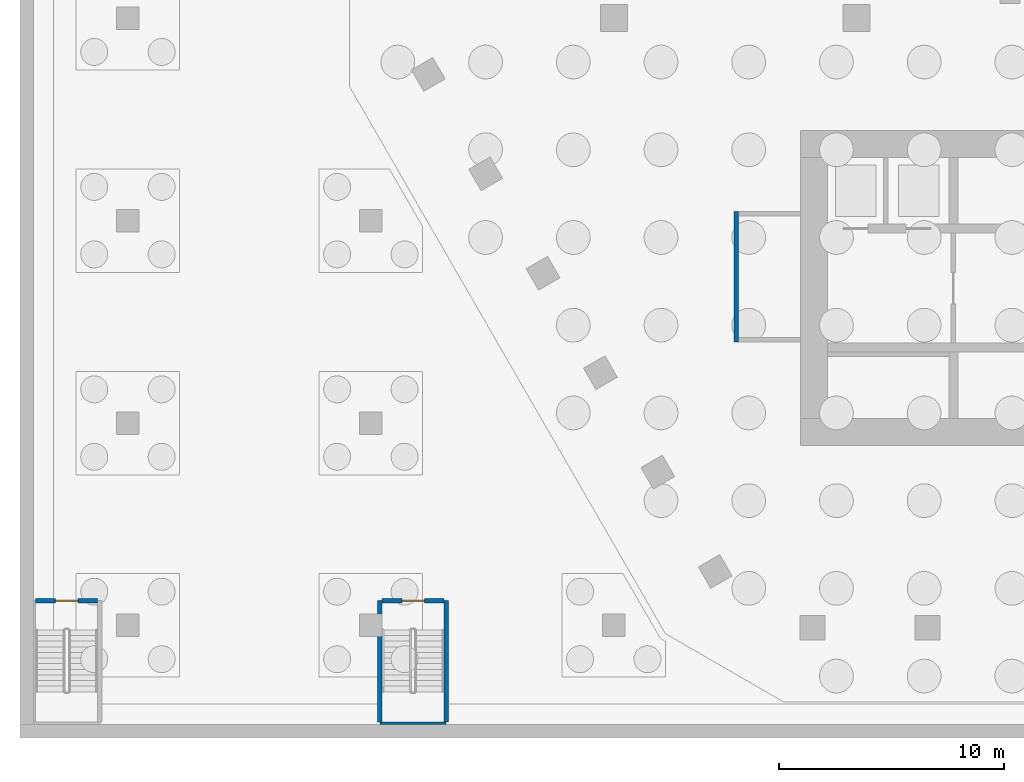
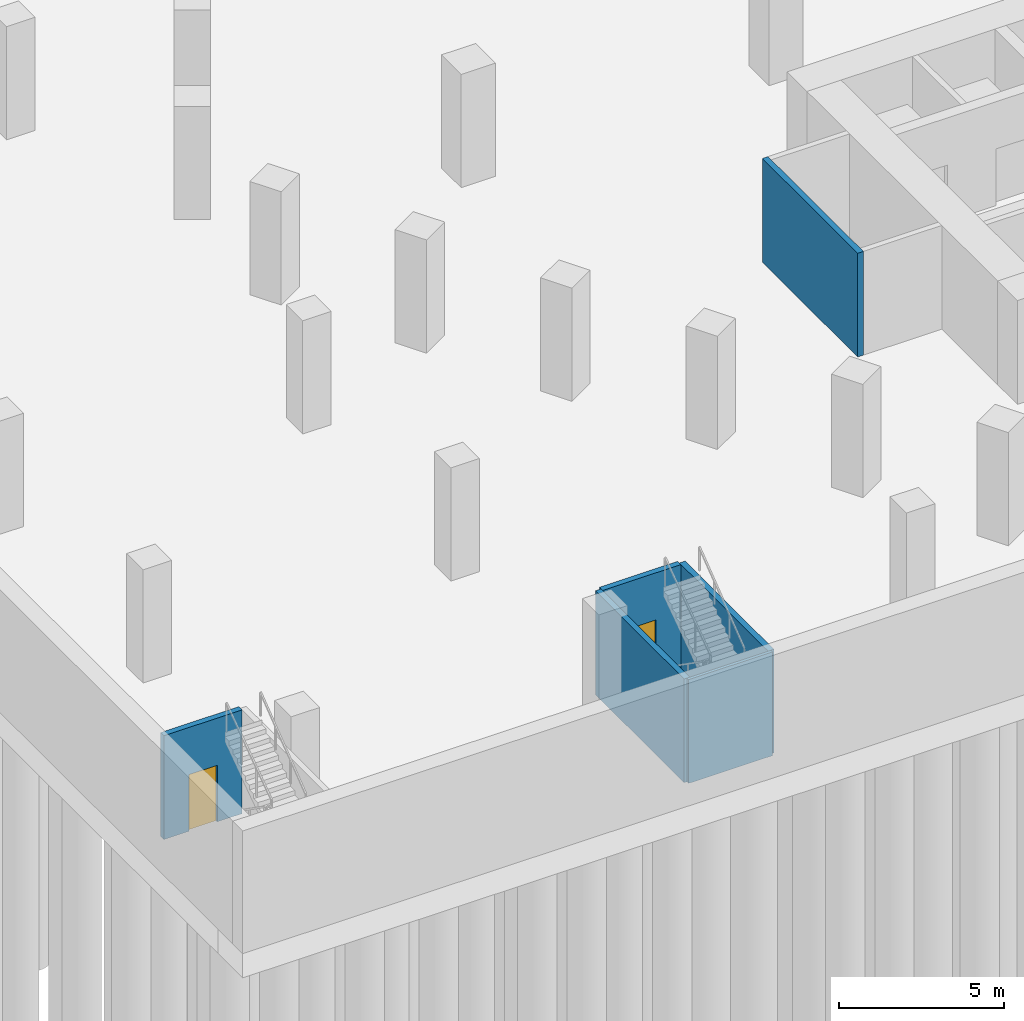
# One storey, part 4 of 21: 6 walls, 2 doors, 2 openings.
"""IFC4 building model written with IfcOpenShell, lengths in metres."""

import ifcopenshell
import ifcopenshell.guid

model = None  # the IFC model being written
_history = None  # IfcOwnerHistory: only IFC2X3 demands one
_inside = {}  # id of a spatial element -> (the spatial element, [elements in it])
_under = {}  # id of a project, library or spatial element -> (it, [spatial elements below it])
_declared = {}  # id of a project -> (the project, [libraries it declares])
_typed = {}  # id of a type object -> (the type object, [elements of that type])
_made_of = {}  # id of a material, layer set ... -> (it, [elements and type objects made of it])


def new_model(schema):
    """Start an empty IFC model of exactly this schema.

    Asked for "IFC4X3", IfcOpenShell would pick the latest addendum, in which some entities
    have other attributes; the version numbers below select the first issue.
    IFC2X3 requires an IfcOwnerHistory on every rooted entity: one is made here for all.
    """
    global model, _history
    if schema == "IFC4X3":
        model = ifcopenshell.file(schema_version=(4, 3, 0, 0))
    else:
        model = ifcopenshell.file(schema=schema)
    _inside.clear()
    _under.clear()
    _declared.clear()
    _typed.clear()
    _made_of.clear()
    _history = None
    if model.schema == "IFC2X3":
        org = make("IfcOrganization", Name="unknown")
        user = make(
            "IfcPersonAndOrganization",
            ThePerson=make("IfcPerson", FamilyName="unknown"),
            TheOrganization=org,
        )
        app = make(
            "IfcApplication",
            ApplicationDeveloper=org,
            Version="unknown",
            ApplicationFullName="unknown",
            ApplicationIdentifier="unknown",
        )
        _history = make(
            "IfcOwnerHistory",
            OwningUser=user,
            OwningApplication=app,
            ChangeAction="ADDED",
            CreationDate=0,
        )
    return model


def make(cls, **values):
    """One entity of the class cls with the attributes given. An attribute that is None is left unset."""
    return model.create_entity(
        cls, **{name: value for name, value in values.items() if value is not None}
    )


def rooted(cls, **values):
    """An entity with a GlobalId (a new one), such as an element, a storey or a relation."""
    return make(cls, GlobalId=ifcopenshell.guid.new(), OwnerHistory=_history, **values)


def si_unit(unit_type, name, prefix=None):
    """IfcSIUnit, for example si_unit("LENGTHUNIT", "METRE", prefix="MILLI")."""
    return make("IfcSIUnit", UnitType=unit_type, Prefix=prefix, Name=name)


def assignment(units):
    """IfcUnitAssignment: the units of a project."""
    return None if units is None else make("IfcUnitAssignment", Units=units)


def point(xyz):
    """IfcCartesianPoint."""
    return None if xyz is None else make("IfcCartesianPoint", Coordinates=xyz)


def direction(xyz):
    """IfcDirection."""
    return None if xyz is None else make("IfcDirection", DirectionRatios=xyz)


def frame(location, z_axis=None, x_axis=None):
    """IfcAxis2Placement3D, a coordinate frame: its origin and axes. An axis left out is left unset."""
    return make(
        "IfcAxis2Placement3D",
        Location=point(location),
        Axis=direction(z_axis),
        RefDirection=direction(x_axis),
    )


def frame_2d(location, x_axis=None):
    """IfcAxis2Placement2D, a coordinate frame in the plane: its origin and x axis."""
    return make(
        "IfcAxis2Placement2D", Location=point(location), RefDirection=direction(x_axis)
    )


def origin():
    """The frame at (0, 0, 0) with its axes left unset."""
    return frame((0.0, 0.0, 0.0))


def place(relative_to, where):
    """IfcLocalPlacement: puts the frame where relative to a parent placement (None: the world)."""
    return make(
        "IfcLocalPlacement", PlacementRelTo=relative_to, RelativePlacement=where
    )


def context(
    kind, dimensions, precision=None, world=None, true_north=None, identifier=None
):
    """IfcGeometricRepresentationContext, for example the 3D "Model" context."""
    return make(
        "IfcGeometricRepresentationContext",
        ContextIdentifier=identifier,
        ContextType=kind,
        CoordinateSpaceDimension=dimensions,
        Precision=precision,
        WorldCoordinateSystem=world,
        TrueNorth=true_north,
    )


def subcontext(parent, identifier, kind, view, scale=None):
    """IfcGeometricRepresentationSubContext, for example "Body" below "Model"."""
    return make(
        "IfcGeometricRepresentationSubContext",
        ContextIdentifier=identifier,
        ContextType=kind,
        ParentContext=parent,
        TargetScale=scale,
        TargetView=view,
    )


def project(units=None, contexts=None):
    """IfcProject with its units and contexts."""
    return rooted(
        "IfcProject",
        Name="project",
        RepresentationContexts=contexts,
        UnitsInContext=assignment(units),
    )


def spatial(cls, under=None, at=None, **own):
    """A site, building, storey or space (cls), placed at a placement, below another one or the project."""
    s = rooted(cls, ObjectPlacement=at, **own)
    if under is not None:
        _under.setdefault(under.id(), (under, []))[1].append(s)
    return s


def profile(cls, at=None, kind="AREA", **sizes):
    """A parametric profile (cls). Its sizes go by their IFC names, for example OverallWidth=200.0."""
    return make(cls, ProfileType=kind, Position=at, **sizes)


def rectangle(**sizes):
    """IfcRectangleProfileDef."""
    return profile("IfcRectangleProfileDef", **sizes)


def extrude(swept, where, along, depth):
    """IfcExtrudedAreaSolid: the profile swept, set in the frame where, extruded along a direction by depth."""
    return make(
        "IfcExtrudedAreaSolid",
        SweptArea=swept,
        Position=where,
        ExtrudedDirection=direction(along),
        Depth=depth,
    )


def shape(context_of_items, identifier, shape_type, items):
    """IfcShapeRepresentation: the items that make up one representation, for example the "Body"."""
    return make(
        "IfcShapeRepresentation",
        ContextOfItems=context_of_items,
        RepresentationIdentifier=identifier,
        RepresentationType=shape_type,
        Items=items,
    )


def material(Name=None, Category=None):
    """IfcMaterial."""
    return make("IfcMaterial", Name=Name, Category=Category)


def layer(
    of_material, thickness, ventilated=None, Name=None, Category=None, Priority=None
):
    """IfcMaterialLayer: one layer of a wall or slab, of a material (None: an air gap)."""
    return make(
        "IfcMaterialLayer",
        Material=of_material,
        LayerThickness=thickness,
        IsVentilated=ventilated,
        Name=Name,
        Category=Category,
        Priority=Priority,
    )


def layer_set(layers, Name=None):
    """IfcMaterialLayerSet."""
    return make("IfcMaterialLayerSet", MaterialLayers=layers, LayerSetName=Name)


def made_of(thing, what):
    """Note that an element or type object is made of a material, layer set ...; save() writes the relation."""
    if what is not None:
        _made_of.setdefault(what.id(), (what, []))[1].append(thing)
    return thing


def type_object(cls, material=None, **own):
    """A type object (cls), such as IfcWallType, which elements share."""
    return made_of(rooted(cls, **own), material)


def element(
    cls,
    number,
    at=None,
    inside=None,
    cuts=None,
    type_object=None,
    material=None,
    context=None,
    identifier="Body",
    shape_type=None,
    held_by="IfcProductDefinitionShape",
    body=None,
    shapes=None,
    **own,
):
    """One element of the class cls, such as IfcWall. Its Tag is "e" and its number.

    at: its placement. inside: the storey or other place that contains it. cuts: it is an
    opening in that element (IfcRelVoidsElement). A single representation is given by context,
    identifier, shape_type and body (its items); several are given by shapes. held_by: the class
    of the entity that holds the representations. save() writes the other relations.
    """
    e = rooted(cls, Tag="e%d" % number, ObjectPlacement=at, **own)
    if body is not None:
        shapes = [shape(context, identifier, shape_type, body)]
    if shapes is not None:
        e.Representation = make(held_by, Representations=shapes)
    if inside is not None:
        _inside.setdefault(inside.id(), (inside, []))[1].append(e)
    if cuts is not None:
        rooted(
            "IfcRelVoidsElement", RelatingBuildingElement=cuts, RelatedOpeningElement=e
        )
    if type_object is not None:
        _typed.setdefault(type_object.id(), (type_object, []))[1].append(e)
    return made_of(e, material)


def fill(opening, filler):
    """IfcRelFillsElement: the door or window that sits in an opening."""
    return rooted(
        "IfcRelFillsElement",
        RelatingOpeningElement=opening,
        RelatedBuildingElement=filler,
    )


def aggregate(whole, parts):
    """IfcRelAggregates: a whole, such as a stair, and the parts it consists of."""
    return rooted("IfcRelAggregates", RelatingObject=whole, RelatedObjects=parts)


def save(model, path):
    """Write the relations noted so far, then the file.

    IfcRelAggregates (storeys below a building ...), IfcRelContainedInSpatialStructure (elements
    in a storey), IfcRelDefinesByType, IfcRelAssociatesMaterial and IfcRelDeclares: one each for
    every whole, place, type object, material and project.
    """
    for whole, parts in _under.values():
        aggregate(whole, parts)
    for where, things in _inside.values():
        rooted(
            "IfcRelContainedInSpatialStructure",
            RelatedElements=things,
            RelatingStructure=where,
        )
    for kind, things in _typed.values():
        rooted("IfcRelDefinesByType", RelatedObjects=things, RelatingType=kind)
    for what, things in _made_of.values():
        rooted("IfcRelAssociatesMaterial", RelatedObjects=things, RelatingMaterial=what)
    for by, libraries in _declared.values():
        rooted("IfcRelDeclares", RelatingContext=by, RelatedDefinitions=libraries)
    model.write(path)


model = new_model("IFC4")

# Units and contexts
model_context = context("Model", 3, precision=1e-05, world=origin(), true_north=direction((0.0, 1.0)))
body_context = subcontext(model_context, "Body", "Model", "MODEL_VIEW")
ifc_project = project(units=[si_unit("LENGTHUNIT", "METRE"), si_unit("AREAUNIT", "SQUARE_METRE"), si_unit("VOLUMEUNIT", "CUBIC_METRE"), si_unit("PLANEANGLEUNIT", "RADIAN"), si_unit("MASSUNIT", "GRAM", prefix="KILO")], contexts=[model_context])

# Site, building, storey
site_placement = place(None, origin())
site = spatial("IfcSite", under=ifc_project, at=site_placement, CompositionType="ELEMENT")
building_placement = place(site_placement, origin())
building = spatial("IfcBuilding", under=site, at=building_placement, Name="Beryl Residences", CompositionType="ELEMENT")
storey_placement = place(building_placement, frame((0.0, 0.0, -8.39990234375)))
storey = spatial("IfcBuildingStorey", under=building, at=storey_placement, Name="B2", CompositionType="ELEMENT", Elevation=-8.39990234375)

# Wall, opening, door
ifc_material_1 = material(Name="Concrete C40/50", Category="concrete")
ifc_layer_1 = layer(ifc_material_1, 0.199951171875)
ifc_layer_set_1 = layer_set([ifc_layer_1], Name="PT5 stair enclosure wall 200 mm reinforced concrete C40/50")
wall_type_1 = type_object("IfcWallType", Name="PT5 stair enclosure wall 200 mm reinforced concrete C40/50", PredefinedType="SOLIDWALL", material=ifc_layer_set_1)
wall_1_placement = place(storey_placement, frame((-47.300048828125, -25.89990234375, 0.0), z_axis=(0.0, 0.0, 1.0), x_axis=(1.0, 0.0, 0.0)))
wall_1 = element("IfcWall", 1, at=wall_1_placement, inside=storey, type_object=wall_type_1, Name="Wall PT5 B2 001", PredefinedType="SOLIDWALL", context=body_context, shape_type="SweptSolid", body=[
    extrude(rectangle(XDim=2.75, YDim=0.199951171875, at=frame_2d((1.375, 0.0))), origin(), (0.0, 0.0, 1.0), 3.849853515625),
])
opening_1_placement = place(wall_1_placement, frame((1.875, 0.0, 0.0), z_axis=(0.0, 0.0, 1.0), x_axis=(-1.0, 0.0, 0.0)))
opening_1 = element("IfcOpeningElement", 2, at=opening_1_placement, cuts=wall_1, Name="Opening B2-04", PredefinedType="OPENING", context=body_context, shape_type="SweptSolid", body=[
    extrude(rectangle(XDim=1.0, YDim=2.10009765625, at=frame_2d((0.5, 1.050048828125))), frame((0.0, 0.10986328125, 0.0), z_axis=(0.0, -1.0, 0.0), x_axis=(1.0, 0.0, 0.0)), (0.0, 0.0, 1.0), 0.219970703125),
])
ifc_material_2 = material(Name="Steel door leaf in steel frame", Category="steel")
door_type = type_object("IfcDoorType", Name="D15 stair door 1000 x 2100 mm", OperationType="SINGLE_SWING_LEFT", PredefinedType="DOOR", material=ifc_material_2)
door_1_placement = place(opening_1_placement, origin())
door_1 = element("IfcDoor", 3, at=door_1_placement, inside=storey, type_object=door_type, Name="Door B2-04 B2 001", OperationType="SINGLE_SWING_LEFT", OverallHeight=2.10009765625, OverallWidth=1.0, PredefinedType="DOOR", context=body_context, shape_type="SweptSolid", body=[
    extrude(rectangle(XDim=1.0, YDim=2.10009765625, at=frame_2d((0.5, 1.050048828125))), frame((0.0, 0.02490234375, 0.0), z_axis=(0.0, -1.0, 0.0), x_axis=(1.0, 0.0, 0.0)), (0.0, 0.0, 1.0), 0.050048828125),
])
fill(opening_1, door_1)

wall_2_placement = place(storey_placement, frame((-31.89990234375, -25.89990234375, 0.0), z_axis=(0.0, 0.0, 1.0), x_axis=(1.0, 0.0, 0.0)))
wall_2 = element("IfcWall", 4, at=wall_2_placement, inside=storey, type_object=wall_type_1, Name="Wall PT5 B2 002", PredefinedType="SOLIDWALL", context=body_context, shape_type="SweptSolid", body=[
    extrude(rectangle(XDim=2.75, YDim=0.199951171875, at=frame_2d((1.375, 0.0))), origin(), (0.0, 0.0, 1.0), 3.849853515625),
])
opening_2_placement = place(wall_2_placement, frame((1.875, 0.0, 0.0), z_axis=(0.0, 0.0, 1.0), x_axis=(-1.0, 0.0, 0.0)))
opening_2 = element("IfcOpeningElement", 5, at=opening_2_placement, cuts=wall_2, Name="Opening B2-05", PredefinedType="OPENING", context=body_context, shape_type="SweptSolid", body=[
    extrude(rectangle(XDim=1.0, YDim=2.10009765625, at=frame_2d((0.5, 1.050048828125))), frame((0.0, 0.10986328125, 0.0), z_axis=(0.0, -1.0, 0.0), x_axis=(1.0, 0.0, 0.0)), (0.0, 0.0, 1.0), 0.219970703125),
])
door_2_placement = place(opening_2_placement, origin())
door_2 = element("IfcDoor", 6, at=door_2_placement, inside=storey, type_object=door_type, Name="Door B2-05 B2 001", OperationType="SINGLE_SWING_RIGHT", OverallHeight=2.10009765625, OverallWidth=1.0, PredefinedType="DOOR", context=body_context, shape_type="SweptSolid", body=[
    extrude(rectangle(XDim=1.0, YDim=2.10009765625, at=frame_2d((0.5, 1.050048828125))), frame((0.0, 0.02490234375, 0.0), z_axis=(0.0, -1.0, 0.0), x_axis=(1.0, 0.0, 0.0)), (0.0, 0.0, 1.0), 0.050048828125),
])
fill(opening_2, door_2)

# Walls
for number, where, z_axis, x_axis, name in (
    (7, (-32.0, -31.300048828125, 0.0), (0.0, 0.0, 1.0), (0.0, 1.0, 0.0), "Wall PT5 B2 009"),
    (8, (-29.050048828125, -31.300048828125, 0.0), (0.0, 0.0, 1.0), (0.0, 1.0, 0.0), "Wall PT5 B2 010"),
):
    element("IfcWall", number, at=place(storey_placement, frame(where, z_axis=z_axis, x_axis=x_axis)), inside=storey, type_object=wall_type_1, Name=name, PredefinedType="SOLIDWALL", context=body_context, shape_type="SweptSolid", body=[
        extrude(rectangle(XDim=5.400146484375, YDim=0.199951171875, at=frame_2d((2.7001953125, 0.0))), origin(), (0.0, 0.0, 1.0), 3.849853515625),
    ])
wall_3_placement = place(storey_placement, frame((-16.14990234375, -14.39990234375, 0.0), z_axis=(0.0, 0.0, 1.0), x_axis=(0.0, 1.0, 0.0)))
element("IfcWall", 9, at=wall_3_placement, inside=storey, type_object=wall_type_1, Name="Stair wall 01", PredefinedType="SOLIDWALL", context=body_context, shape_type="SweptSolid", body=[
    extrude(rectangle(XDim=5.7998046875, YDim=0.199951171875, at=frame_2d((2.89990234375, 0.0))), origin(), (0.0, 0.0, 1.0), 3.849853515625),
])
ifc_material_3 = material(Name="Concrete C40/50", Category="concrete")
ifc_layer_2 = layer(ifc_material_3, 0.10009765625)
ifc_layer_set_2 = layer_set([ifc_layer_2], Name="PT5-100 stair enclosure wall 100 mm")
wall_type_2 = type_object("IfcWallType", Name="PT5-100 stair enclosure wall 100 mm", PredefinedType="SOLIDWALL", material=ifc_layer_set_2)
wall_4_placement = place(storey_placement, frame((-32.0, -31.35009765625, 0.0), z_axis=(0.0, 0.0, 1.0), x_axis=(1.0, 0.0, 0.0)))
element("IfcWall", 10, at=wall_4_placement, inside=storey, type_object=wall_type_2, Name="Wall PT5-100 B2 008", PredefinedType="SOLIDWALL", context=body_context, shape_type="SweptSolid", body=[
    extrude(rectangle(XDim=2.949951171875, YDim=0.10009765625, at=frame_2d((1.47509765625, 0.0))), origin(), (0.0, 0.0, 1.0), 3.849853515625),
])

save(model, "model.ifc")
